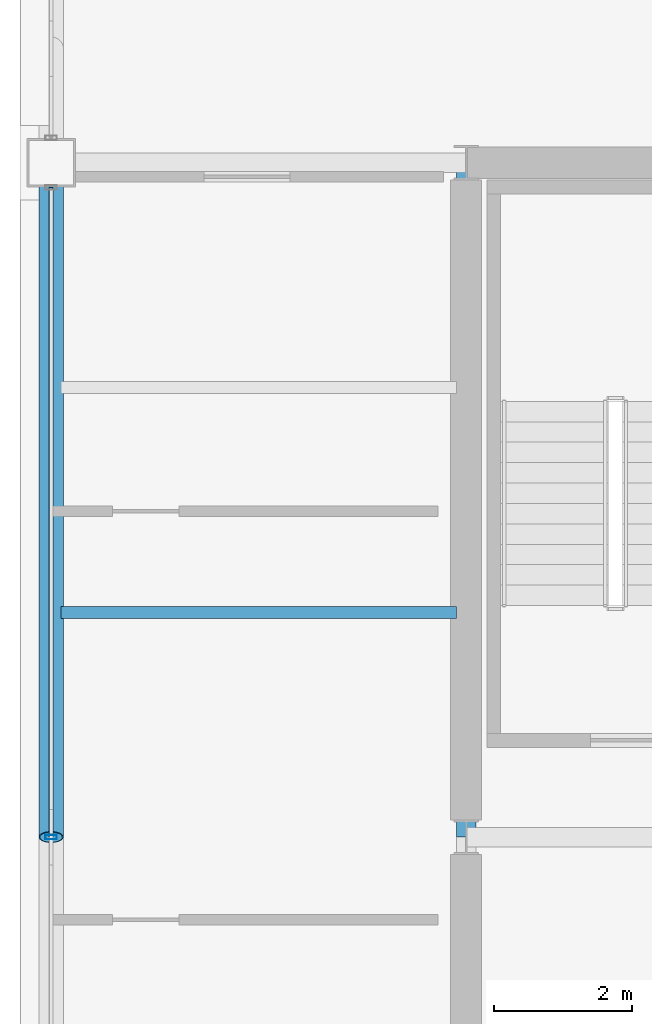
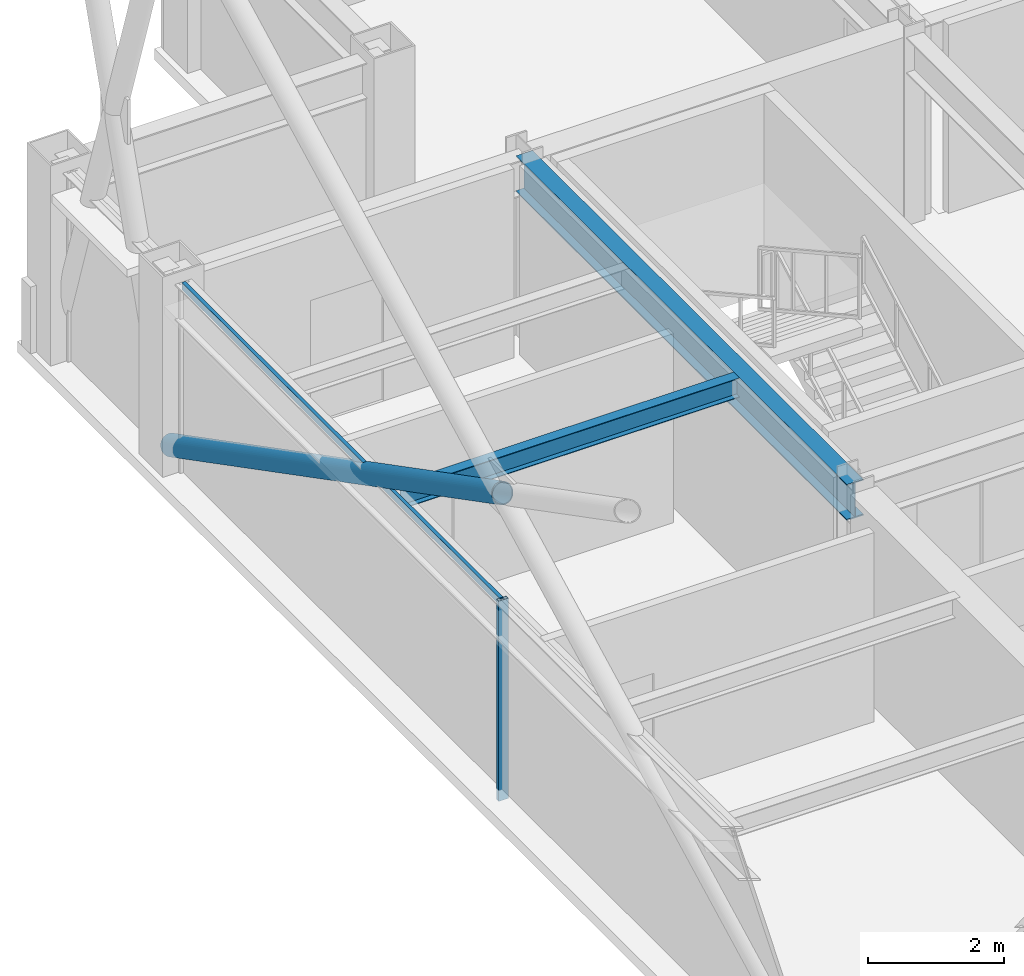
# One storey, part 10 of 33: 3 members, 2 beams, 1 element without a shape of its own.
"""IFC4 building model written with IfcOpenShell, lengths in metres."""

from ifc_helpers import new_model, si_unit, direction, frame, origin, origin_2d, place, context, subcontext, project, spatial, hollow_rectangle, hollow_circle, i_section, extrude, material, layer, layer_set, material_profile, profile_set, type_object, element, aggregate, save


model = new_model("IFC4")

# Units and contexts
model_context = context("Model", 3, precision=1e-05, world=origin(), true_north=direction((0.0, 1.0)))
body_context = subcontext(model_context, "Body", "Model", "MODEL_VIEW")
ifc_project = project(units=[si_unit("LENGTHUNIT", "METRE"), si_unit("AREAUNIT", "SQUARE_METRE"), si_unit("VOLUMEUNIT", "CUBIC_METRE"), si_unit("PLANEANGLEUNIT", "RADIAN"), si_unit("MASSUNIT", "GRAM", prefix="KILO")], contexts=[model_context])

# Site, building, storey
site_placement = place(None, origin())
site = spatial("IfcSite", under=ifc_project, at=site_placement, CompositionType="ELEMENT")
building_placement = place(site_placement, origin())
building = spatial("IfcBuilding", under=site, at=building_placement, Name="Brelmoor Portico Tower", CompositionType="ELEMENT")
storey_placement = place(building_placement, frame((0.0, 0.0, 194.699951171875)))
storey = spatial("IfcBuildingStorey", under=building, at=storey_placement, Name="L51", CompositionType="ELEMENT", Elevation=194.699951171875)

# Beams
ifc_material_1 = material(Name="Steel Q355B", Category="steel")
ifc_material_profile_1 = material_profile(ifc_material_1, i_section(OverallWidth=0.175048828125, OverallDepth=0.35009765625, WebThickness=0.007080078125, FlangeThickness=0.010986328125, at=origin_2d()), Name="HN 350x175x7x11")
ifc_profile_set_1 = profile_set([ifc_material_profile_1], Name="Steel Q355B")
beam_type_1 = type_object("IfcBeamType", Name="BM-JS-350", PredefinedType="JOIST", material=ifc_profile_set_1)
beam_1_placement = place(storey_placement, frame((-20.409912109375, 3.25, 3.22509765625), z_axis=(1.0, 0.0, 0.0), x_axis=(0.0, 1.0, 0.0)))
element("IfcBeam", 1, at=beam_1_placement, inside=storey, type_object=beam_type_1, Name="L51 Secondary Wing Joist JS-W07", PredefinedType="JOIST", context=body_context, shape_type="SweptSolid", body=[
    extrude(i_section(OverallWidth=0.175048828125, OverallDepth=0.35009765625, WebThickness=0.007080078125, FlangeThickness=0.010986328125, at=origin_2d()), origin(), (0.0, 0.0, 1.0), 5.719970703125),
])
ifc_material_profile_2 = material_profile(ifc_material_1, i_section(OverallWidth=0.280029296875, OverallDepth=0.64990234375, WebThickness=0.012939453125, FlangeThickness=0.02197265625, at=origin_2d()), Name="HN 650x280x13x22")
ifc_profile_set_2 = profile_set([ifc_material_profile_2], Name="Steel Q355B")
beam_type_2 = type_object("IfcBeamType", Name="BM-PG-650", PredefinedType="BEAM", material=ifc_profile_set_2)
beam_2_placement = place(storey_placement, frame((-14.550048828125, 0.0, 3.074951171875), z_axis=(0.0, 1.0, 0.0), x_axis=(-1.0, 0.0, 0.0)))
element("IfcBeam", 2, at=beam_2_placement, inside=storey, type_object=beam_type_2, Name="L51 Primary Floor Girder PG-02", PredefinedType="BEAM", context=body_context, shape_type="SweptSolid", body=[
    extrude(i_section(OverallWidth=0.280029296875, OverallDepth=0.64990234375, WebThickness=0.012939453125, FlangeThickness=0.02197265625, at=origin_2d()), origin(), (0.0, 0.0, 1.0), 9.75),
])

# Member
ifc_material_profile_3 = material_profile(ifc_material_1, hollow_circle(Radius=0.177978515625, WallThickness=0.01611328125, at=origin_2d()), Name="CHS 356x16")
ifc_profile_set_3 = profile_set([ifc_material_profile_3], Name="Steel Q355B")
member_type_1 = type_object("IfcMemberType", Name="MB-BELT-DIAG2", PredefinedType="BRACE", material=ifc_profile_set_3)
member_1_placement = place(storey_placement, frame((-20.550048828125, 9.75, 0.25), z_axis=(0.0, -0.887959386012, 0.459921872488), x_axis=(1.0, 0.0, 0.0)))
element("IfcMember", 3, at=member_1_placement, inside=storey, type_object=member_type_1, Name="L51 Split Mega-X Brace 123B1", PredefinedType="BRACE", context=body_context, shape_type="SweptSolid", body=[
    extrude(hollow_circle(Radius=0.177978515625, WallThickness=0.01611328125, at=origin_2d()), origin(), (0.0, 0.0, 1.0), 10.980224609375),
])

# Curtain wall, members
ifc_material_2 = material(Name="Anodised Aluminium Alloy 6063-T6", Category="aluminium")
ifc_layer = layer(ifc_material_2, 0.179931640625)
ifc_layer_set = layer_set([ifc_layer], Name="Anodised Aluminium Alloy 6063-T6")
curtain_wall_type = type_object("IfcCurtainWallType", Name="CW-TOWER-Z3-XB", PredefinedType="NOTDEFINED", material=ifc_layer_set)
curtain_wall_placement = place(storey_placement, origin())
curtain_wall = element("IfcCurtainWall", 4, at=curtain_wall_placement, inside=storey, type_object=curtain_wall_type, Name="L51 Curtain Wall CW-L51-03-2", PredefinedType="NOTDEFINED")
ifc_material_profile_4 = material_profile(ifc_material_2, hollow_rectangle(XDim=0.06494140625, YDim=0.1650390625, WallThickness=0.00390625, at=origin_2d()), Name="ALU MULLION 65x165")
ifc_profile_set_4 = profile_set([ifc_material_profile_4], Name="Anodised Aluminium Alloy 6063-T6")
member_type_2 = type_object("IfcMemberType", Name="MB-CW-MULL-165", PredefinedType="MULLION", material=ifc_profile_set_4)
member_2_placement = place(storey_placement, frame((-20.550048828125, 0.0, -0.199951171875), z_axis=(0.0, 0.0, 1.0), x_axis=(0.0, 1.0, 0.0)))
member_2 = element("IfcMember", 5, at=member_2_placement, type_object=member_type_2, Name="CW-L51-03-2 Mullion 01", PredefinedType="MULLION", context=body_context, shape_type="SweptSolid", body=[
    extrude(hollow_rectangle(XDim=0.06494140625, YDim=0.1650390625, WallThickness=0.00390625, at=origin_2d()), origin(), (0.0, 0.0, 1.0), 3.60009765625),
])
ifc_material_profile_5 = material_profile(ifc_material_2, hollow_rectangle(XDim=0.06005859375, YDim=0.125, WallThickness=0.00341796875, at=origin_2d()), Name="ALU TRANSOM 60x125")
ifc_profile_set_5 = profile_set([ifc_material_profile_5], Name="Anodised Aluminium Alloy 6063-T6")
member_type_3 = type_object("IfcMemberType", Name="MB-CW-TRAN-125", PredefinedType="USERDEFINED", material=ifc_profile_set_5)
member_3_placement = place(storey_placement, frame((-20.550048828125, 0.0, 3.337646484375), z_axis=(0.0, 1.0, 0.0), x_axis=(-1.0, 0.0, 0.0)))
member_3 = element("IfcMember", 6, at=member_3_placement, type_object=member_type_3, Name="CW-L51-03-2 Transom 1-01", ObjectType="TRANSOM", PredefinedType="USERDEFINED", context=body_context, shape_type="SweptSolid", body=[
    extrude(hollow_rectangle(XDim=0.06005859375, YDim=0.125, WallThickness=0.00341796875, at=origin_2d()), origin(), (0.0, 0.0, 1.0), 9.389892578125),
])
aggregate(curtain_wall, [member_2, member_3])

save(model, "model.ifc")
